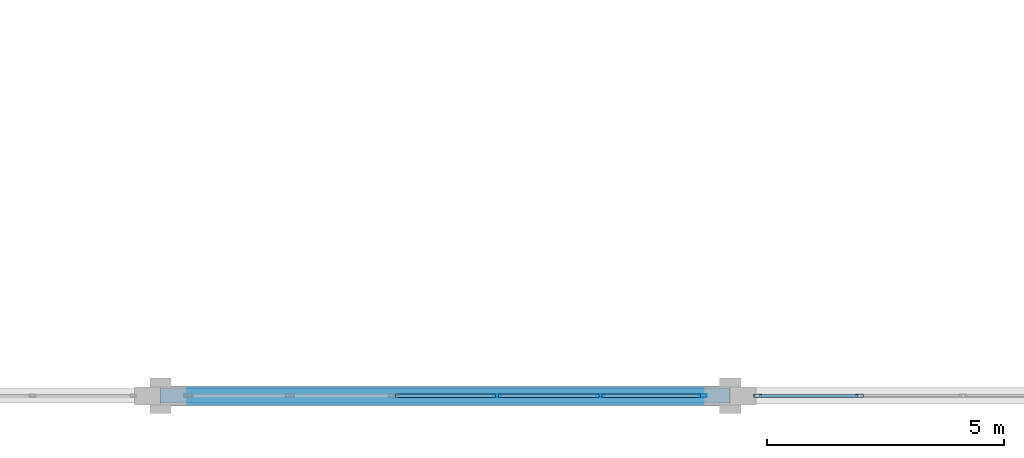
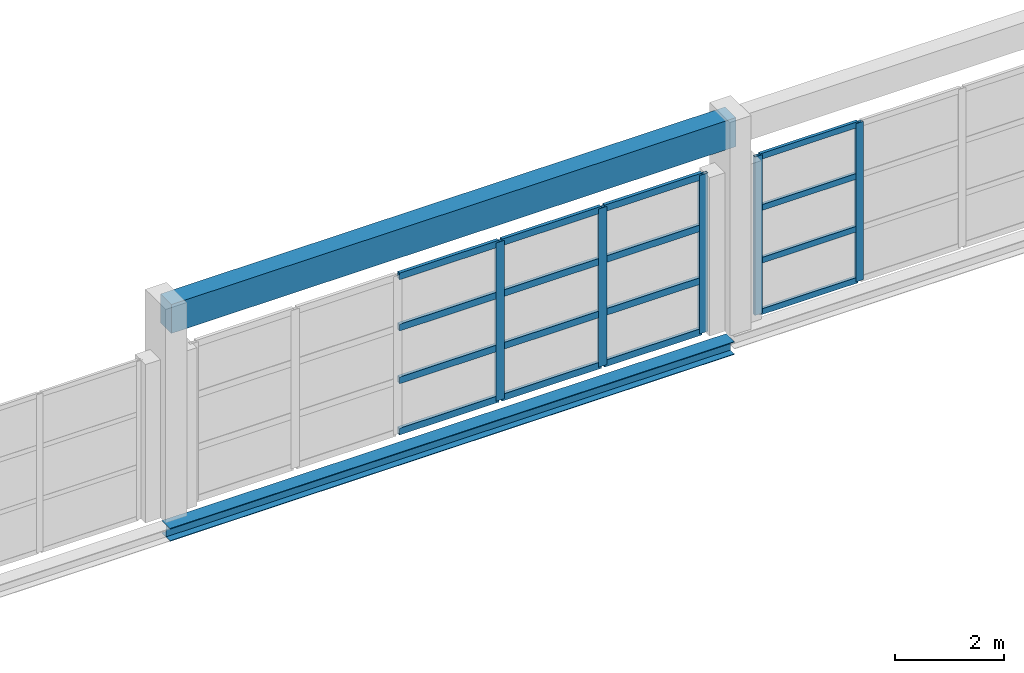
# One storey, part 71 of 147: 21 members, 2 beams, 2 elements without a shape of their own.
"""IFC4 building model written with IfcOpenShell, lengths in metres."""

import ifcopenshell
import ifcopenshell.guid

model = None  # the IFC model being written
_history = None  # IfcOwnerHistory: only IFC2X3 demands one
_inside = {}  # id of a spatial element -> (the spatial element, [elements in it])
_under = {}  # id of a project, library or spatial element -> (it, [spatial elements below it])
_declared = {}  # id of a project -> (the project, [libraries it declares])
_typed = {}  # id of a type object -> (the type object, [elements of that type])
_made_of = {}  # id of a material, layer set ... -> (it, [elements and type objects made of it])


def new_model(schema):
    """Start an empty IFC model of exactly this schema.

    Asked for "IFC4X3", IfcOpenShell would pick the latest addendum, in which some entities
    have other attributes; the version numbers below select the first issue.
    IFC2X3 requires an IfcOwnerHistory on every rooted entity: one is made here for all.
    """
    global model, _history
    if schema == "IFC4X3":
        model = ifcopenshell.file(schema_version=(4, 3, 0, 0))
    else:
        model = ifcopenshell.file(schema=schema)
    _inside.clear()
    _under.clear()
    _declared.clear()
    _typed.clear()
    _made_of.clear()
    _history = None
    if model.schema == "IFC2X3":
        org = make("IfcOrganization", Name="unknown")
        user = make(
            "IfcPersonAndOrganization",
            ThePerson=make("IfcPerson", FamilyName="unknown"),
            TheOrganization=org,
        )
        app = make(
            "IfcApplication",
            ApplicationDeveloper=org,
            Version="unknown",
            ApplicationFullName="unknown",
            ApplicationIdentifier="unknown",
        )
        _history = make(
            "IfcOwnerHistory",
            OwningUser=user,
            OwningApplication=app,
            ChangeAction="ADDED",
            CreationDate=0,
        )
    return model


def make(cls, **values):
    """One entity of the class cls with the attributes given. An attribute that is None is left unset."""
    return model.create_entity(
        cls, **{name: value for name, value in values.items() if value is not None}
    )


def rooted(cls, **values):
    """An entity with a GlobalId (a new one), such as an element, a storey or a relation."""
    return make(cls, GlobalId=ifcopenshell.guid.new(), OwnerHistory=_history, **values)


def si_unit(unit_type, name, prefix=None):
    """IfcSIUnit, for example si_unit("LENGTHUNIT", "METRE", prefix="MILLI")."""
    return make("IfcSIUnit", UnitType=unit_type, Prefix=prefix, Name=name)


def assignment(units):
    """IfcUnitAssignment: the units of a project."""
    return None if units is None else make("IfcUnitAssignment", Units=units)


def point(xyz):
    """IfcCartesianPoint."""
    return None if xyz is None else make("IfcCartesianPoint", Coordinates=xyz)


def direction(xyz):
    """IfcDirection."""
    return None if xyz is None else make("IfcDirection", DirectionRatios=xyz)


def frame(location, z_axis=None, x_axis=None):
    """IfcAxis2Placement3D, a coordinate frame: its origin and axes. An axis left out is left unset."""
    return make(
        "IfcAxis2Placement3D",
        Location=point(location),
        Axis=direction(z_axis),
        RefDirection=direction(x_axis),
    )


def frame_2d(location, x_axis=None):
    """IfcAxis2Placement2D, a coordinate frame in the plane: its origin and x axis."""
    return make(
        "IfcAxis2Placement2D", Location=point(location), RefDirection=direction(x_axis)
    )


def origin():
    """The frame at (0, 0, 0) with its axes left unset."""
    return frame((0.0, 0.0, 0.0))


def origin_2d():
    """The frame at (0, 0) in the plane with its x axis left unset."""
    return frame_2d((0.0, 0.0))


def place(relative_to, where):
    """IfcLocalPlacement: puts the frame where relative to a parent placement (None: the world)."""
    return make(
        "IfcLocalPlacement", PlacementRelTo=relative_to, RelativePlacement=where
    )


def context(
    kind, dimensions, precision=None, world=None, true_north=None, identifier=None
):
    """IfcGeometricRepresentationContext, for example the 3D "Model" context."""
    return make(
        "IfcGeometricRepresentationContext",
        ContextIdentifier=identifier,
        ContextType=kind,
        CoordinateSpaceDimension=dimensions,
        Precision=precision,
        WorldCoordinateSystem=world,
        TrueNorth=true_north,
    )


def subcontext(parent, identifier, kind, view, scale=None):
    """IfcGeometricRepresentationSubContext, for example "Body" below "Model"."""
    return make(
        "IfcGeometricRepresentationSubContext",
        ContextIdentifier=identifier,
        ContextType=kind,
        ParentContext=parent,
        TargetScale=scale,
        TargetView=view,
    )


def project(units=None, contexts=None):
    """IfcProject with its units and contexts."""
    return rooted(
        "IfcProject",
        Name="project",
        RepresentationContexts=contexts,
        UnitsInContext=assignment(units),
    )


def spatial(cls, under=None, at=None, **own):
    """A site, building, storey or space (cls), placed at a placement, below another one or the project."""
    s = rooted(cls, ObjectPlacement=at, **own)
    if under is not None:
        _under.setdefault(under.id(), (under, []))[1].append(s)
    return s


def profile(cls, at=None, kind="AREA", **sizes):
    """A parametric profile (cls). Its sizes go by their IFC names, for example OverallWidth=200.0."""
    return make(cls, ProfileType=kind, Position=at, **sizes)


def rectangle(**sizes):
    """IfcRectangleProfileDef."""
    return profile("IfcRectangleProfileDef", **sizes)


def hollow_rectangle(**sizes):
    """IfcRectangleHollowProfileDef."""
    return profile("IfcRectangleHollowProfileDef", **sizes)


def i_section(**sizes):
    """IfcIShapeProfileDef."""
    return profile("IfcIShapeProfileDef", **sizes)


def extrude(swept, where, along, depth):
    """IfcExtrudedAreaSolid: the profile swept, set in the frame where, extruded along a direction by depth."""
    return make(
        "IfcExtrudedAreaSolid",
        SweptArea=swept,
        Position=where,
        ExtrudedDirection=direction(along),
        Depth=depth,
    )


def shape(context_of_items, identifier, shape_type, items):
    """IfcShapeRepresentation: the items that make up one representation, for example the "Body"."""
    return make(
        "IfcShapeRepresentation",
        ContextOfItems=context_of_items,
        RepresentationIdentifier=identifier,
        RepresentationType=shape_type,
        Items=items,
    )


def material(Name=None, Category=None):
    """IfcMaterial."""
    return make("IfcMaterial", Name=Name, Category=Category)


def layer(
    of_material, thickness, ventilated=None, Name=None, Category=None, Priority=None
):
    """IfcMaterialLayer: one layer of a wall or slab, of a material (None: an air gap)."""
    return make(
        "IfcMaterialLayer",
        Material=of_material,
        LayerThickness=thickness,
        IsVentilated=ventilated,
        Name=Name,
        Category=Category,
        Priority=Priority,
    )


def layer_set(layers, Name=None):
    """IfcMaterialLayerSet."""
    return make("IfcMaterialLayerSet", MaterialLayers=layers, LayerSetName=Name)


def material_profile(
    of_material, cross_section, Name=None, Category=None, Priority=None
):
    """IfcMaterialProfile: a cross section and its material."""
    return make(
        "IfcMaterialProfile",
        Name=Name,
        Material=of_material,
        Profile=cross_section,
        Priority=Priority,
        Category=Category,
    )


def profile_set(profiles, Name=None, composite=None):
    """IfcMaterialProfileSet."""
    return make(
        "IfcMaterialProfileSet",
        Name=Name,
        MaterialProfiles=profiles,
        CompositeProfile=composite,
    )


def made_of(thing, what):
    """Note that an element or type object is made of a material, layer set ...; save() writes the relation."""
    if what is not None:
        _made_of.setdefault(what.id(), (what, []))[1].append(thing)
    return thing


def type_object(cls, material=None, **own):
    """A type object (cls), such as IfcWallType, which elements share."""
    return made_of(rooted(cls, **own), material)


def element(
    cls,
    number,
    at=None,
    inside=None,
    cuts=None,
    type_object=None,
    material=None,
    context=None,
    identifier="Body",
    shape_type=None,
    held_by="IfcProductDefinitionShape",
    body=None,
    shapes=None,
    **own,
):
    """One element of the class cls, such as IfcWall. Its Tag is "e" and its number.

    at: its placement. inside: the storey or other place that contains it. cuts: it is an
    opening in that element (IfcRelVoidsElement). A single representation is given by context,
    identifier, shape_type and body (its items); several are given by shapes. held_by: the class
    of the entity that holds the representations. save() writes the other relations.
    """
    e = rooted(cls, Tag="e%d" % number, ObjectPlacement=at, **own)
    if body is not None:
        shapes = [shape(context, identifier, shape_type, body)]
    if shapes is not None:
        e.Representation = make(held_by, Representations=shapes)
    if inside is not None:
        _inside.setdefault(inside.id(), (inside, []))[1].append(e)
    if cuts is not None:
        rooted(
            "IfcRelVoidsElement", RelatingBuildingElement=cuts, RelatedOpeningElement=e
        )
    if type_object is not None:
        _typed.setdefault(type_object.id(), (type_object, []))[1].append(e)
    return made_of(e, material)


def aggregate(whole, parts):
    """IfcRelAggregates: a whole, such as a stair, and the parts it consists of."""
    return rooted("IfcRelAggregates", RelatingObject=whole, RelatedObjects=parts)


def save(model, path):
    """Write the relations noted so far, then the file.

    IfcRelAggregates (storeys below a building ...), IfcRelContainedInSpatialStructure (elements
    in a storey), IfcRelDefinesByType, IfcRelAssociatesMaterial and IfcRelDeclares: one each for
    every whole, place, type object, material and project.
    """
    for whole, parts in _under.values():
        aggregate(whole, parts)
    for where, things in _inside.values():
        rooted(
            "IfcRelContainedInSpatialStructure",
            RelatedElements=things,
            RelatingStructure=where,
        )
    for kind, things in _typed.values():
        rooted("IfcRelDefinesByType", RelatedObjects=things, RelatingType=kind)
    for what, things in _made_of.values():
        rooted("IfcRelAssociatesMaterial", RelatedObjects=things, RelatingMaterial=what)
    for by, libraries in _declared.values():
        rooted("IfcRelDeclares", RelatingContext=by, RelatedDefinitions=libraries)
    model.write(path)


model = new_model("IFC4")

# Units and contexts
model_context = context("Model", 3, precision=1e-05, world=origin(), true_north=direction((0.0, 1.0)))
body_context = subcontext(model_context, "Body", "Model", "MODEL_VIEW")
ifc_project = project(units=[si_unit("LENGTHUNIT", "METRE"), si_unit("AREAUNIT", "SQUARE_METRE"), si_unit("VOLUMEUNIT", "CUBIC_METRE"), si_unit("PLANEANGLEUNIT", "RADIAN"), si_unit("MASSUNIT", "GRAM", prefix="KILO")], contexts=[model_context])

# Site, building, storey
site_placement = place(None, origin())
site = spatial("IfcSite", under=ifc_project, at=site_placement, CompositionType="ELEMENT")
building_placement = place(site_placement, origin())
building = spatial("IfcBuilding", under=site, at=building_placement, Name="Zilviju Railside Exhibition Hall", CompositionType="ELEMENT")
storey_placement = place(building_placement, frame((0.0, 0.0, 8.39990234375)))
storey = spatial("IfcBuildingStorey", under=building, at=storey_placement, Name="L03", CompositionType="ELEMENT", Elevation=8.39990234375)

# Beams
ifc_material_1 = material(Name="Steel S355J2", Category="steel")
ifc_material_profile_1 = material_profile(ifc_material_1, i_section(OverallWidth=0.300048828125, OverallDepth=0.2900390625, WebThickness=0.008544921875, FlangeThickness=0.013916015625, at=origin_2d()), Name="HEA 300")
ifc_profile_set_1 = profile_set([ifc_material_profile_1], Name="Steel S355J2")
beam_type_1 = type_object("IfcBeamType", Name="BM-HEA300", PredefinedType="SPANDREL", material=ifc_profile_set_1)
beam_1_placement = place(storey_placement, frame((132.0, 0.0, -0.48486328125), z_axis=(1.0, 0.0, 0.0), x_axis=(0.0, 1.0, 0.0)))
element("IfcBeam", 1, at=beam_1_placement, inside=storey, type_object=beam_type_1, Name="Primary Girder L03 Y=0.0 (132.0..144.0)", PredefinedType="SPANDREL", context=body_context, shape_type="SweptSolid", body=[
    extrude(i_section(OverallWidth=0.300048828125, OverallDepth=0.2900390625, WebThickness=0.008544921875, FlangeThickness=0.013916015625, at=origin_2d()), origin(), (0.0, 0.0, 1.0), 12.0),
])
ifc_material_2 = material(Name="Concrete C35/45", Category="concrete")
ifc_material_profile_2 = material_profile(ifc_material_2, rectangle(XDim=0.39990234375, YDim=0.64990234375, at=origin_2d()), Name="RC BEAM 400x650")
ifc_profile_set_2 = profile_set([ifc_material_profile_2], Name="Concrete C35/45")
beam_type_2 = type_object("IfcBeamType", Name="BM-RC-400x650", PredefinedType="SPANDREL", material=ifc_profile_set_2)
beam_2_placement = place(storey_placement, frame((132.0, 0.0, 4.400146484375), z_axis=(1.0, 0.0, 0.0), x_axis=(0.0, 1.0, 0.0)))
element("IfcBeam", 2, at=beam_2_placement, inside=storey, type_object=beam_type_2, Name="Eave & Portal Spandrel Lintel 006", PredefinedType="SPANDREL", context=body_context, shape_type="SweptSolid", body=[
    extrude(rectangle(XDim=0.39990234375, YDim=0.64990234375, at=origin_2d()), origin(), (0.0, 0.0, 1.0), 12.0),
])

# Curtain wall, members
ifc_material_3 = material(Name="Thermally broken aluminium-steel triple-glazed curtain wall", Category="steel")
ifc_layer_1 = layer(ifc_material_3, 0.179931640625)
ifc_layer_set_1 = layer_set([ifc_layer_1], Name="Thermally broken aluminium-steel triple-glazed curtain wall")
curtain_wall_type_1 = type_object("IfcCurtainWallType", Name="CW-BAY-18", PredefinedType="USERDEFINED", material=ifc_layer_set_1)
curtain_wall_1_placement = place(storey_placement, origin())
curtain_wall_1 = element("IfcCurtainWall", 3, at=curtain_wall_1_placement, inside=storey, type_object=curtain_wall_type_1, Name="South Hall Facade Curtain Wall L03 (144..156)", ObjectType="GLAZED CURTAIN WALL", PredefinedType="USERDEFINED")
ifc_material_4 = material(Name="Thermally broken anodized aluminium mullion", Category="aluminium")
ifc_material_profile_3 = material_profile(ifc_material_4, hollow_rectangle(XDim=0.06494140625, YDim=0.159912109375, WallThickness=0.0048828125, at=origin_2d()), Name="MULLION 160x65x5")
ifc_profile_set_3 = profile_set([ifc_material_profile_3], Name="Thermally broken anodized aluminium mullion")
member_type_1 = type_object("IfcMemberType", Name="CWM-65x160", PredefinedType="MULLION", material=ifc_profile_set_3)
member_1_placement = place(storey_placement, frame((146.72998046875, 0.0, 0.0), z_axis=(0.0, 0.0, 1.0), x_axis=(0.0, -1.0, 0.0)))
member_1 = element("IfcMember", 4, at=member_1_placement, type_object=member_type_1, Name="CW-18 mullion 5", PredefinedType="MULLION", context=body_context, shape_type="SweptSolid", body=[
    extrude(hollow_rectangle(XDim=0.06494140625, YDim=0.159912109375, WallThickness=0.0048828125, at=origin_2d()), origin(), (0.0, 0.0, 1.0), 3.56005859375),
])
member_2_placement = place(storey_placement, frame((144.58251953125, 0.0, 0.0), z_axis=(0.0, 0.0, 1.0), x_axis=(0.0, -1.0, 0.0)))
member_2 = element("IfcMember", 5, at=member_2_placement, type_object=member_type_1, Name="CW-18 mullion 6", PredefinedType="MULLION", context=body_context, shape_type="SweptSolid", body=[
    extrude(hollow_rectangle(XDim=0.06494140625, YDim=0.159912109375, WallThickness=0.0048828125, at=origin_2d()), origin(), (0.0, 0.0, 1.0), 3.56005859375),
])

ifc_layer_2 = layer(ifc_material_3, 0.179931640625)
ifc_layer_set_2 = layer_set([ifc_layer_2], Name="Thermally broken aluminium-steel triple-glazed curtain wall")
curtain_wall_type_2 = type_object("IfcCurtainWallType", Name="CW-BAY-17", PredefinedType="USERDEFINED", material=ifc_layer_set_2)
curtain_wall_2_placement = place(storey_placement, origin())
curtain_wall_2 = element("IfcCurtainWall", 6, at=curtain_wall_2_placement, inside=storey, type_object=curtain_wall_type_2, Name="South Hall Facade Curtain Wall L03 (132..144)", ObjectType="GLAZED CURTAIN WALL", PredefinedType="USERDEFINED")
ifc_material_profile_4 = material_profile(ifc_material_4, hollow_rectangle(XDim=0.070068359375, YDim=0.179931640625, WallThickness=0.0048828125, at=origin_2d()), Name="MULLION 180x70x5")
ifc_profile_set_4 = profile_set([ifc_material_profile_4], Name="Thermally broken anodized aluminium mullion")
member_type_2 = type_object("IfcMemberType", Name="CWM-70x180", PredefinedType="MULLION", material=ifc_profile_set_4)
member_3_placement = place(storey_placement, frame((143.4150390625, 0.0, 0.0), z_axis=(0.0, 0.0, 1.0), x_axis=(0.0, -1.0, 0.0)))
member_3 = element("IfcMember", 7, at=member_3_placement, type_object=member_type_2, Name="CW-17 mullion 1", PredefinedType="MULLION", context=body_context, shape_type="SweptSolid", body=[
    extrude(hollow_rectangle(XDim=0.070068359375, YDim=0.179931640625, WallThickness=0.0048828125, at=origin_2d()), origin(), (0.0, 0.0, 1.0), 3.56005859375),
])
member_4_placement = place(storey_placement, frame((141.27001953125, 0.0, 0.0), z_axis=(0.0, 0.0, 1.0), x_axis=(0.0, -1.0, 0.0)))
member_4 = element("IfcMember", 8, at=member_4_placement, type_object=member_type_2, Name="CW-17 mullion 2", PredefinedType="MULLION", context=body_context, shape_type="SweptSolid", body=[
    extrude(hollow_rectangle(XDim=0.070068359375, YDim=0.179931640625, WallThickness=0.0048828125, at=origin_2d()), origin(), (0.0, 0.0, 1.0), 3.56005859375),
])
member_5_placement = place(storey_placement, frame((139.090087890625, 0.0, 0.0), z_axis=(0.0, 0.0, 1.0), x_axis=(0.0, -1.0, 0.0)))
member_5 = element("IfcMember", 9, at=member_5_placement, type_object=member_type_2, Name="CW-17 mullion 3", PredefinedType="MULLION", context=body_context, shape_type="SweptSolid", body=[
    extrude(hollow_rectangle(XDim=0.070068359375, YDim=0.179931640625, WallThickness=0.0048828125, at=origin_2d()), origin(), (0.0, 0.0, 1.0), 3.56005859375),
])

# Member
ifc_material_5 = material(Name="Thermally broken anodized aluminium transom", Category="aluminium")
ifc_material_profile_5 = material_profile(ifc_material_5, hollow_rectangle(XDim=0.06494140625, YDim=0.1298828125, WallThickness=0.0048828125, at=origin_2d()), Name="TRANSOM 130x65x5")
ifc_profile_set_5 = profile_set([ifc_material_profile_5], Name="Thermally broken anodized aluminium transom")
member_type_3 = type_object("IfcMemberType", Name="CWT-65x130", PredefinedType="USERDEFINED", material=ifc_profile_set_5)
member_6_placement = place(storey_placement, frame((146.697509765625, 0.0, 0.03271484375), z_axis=(-1.0, 0.0, 0.0), x_axis=(0.0, -1.0, 0.0)))
member_6 = element("IfcMember", 10, at=member_6_placement, type_object=member_type_3, Name="CW-18 transom 5.1", ObjectType="TRANSOM", PredefinedType="USERDEFINED", context=body_context, shape_type="SweptSolid", body=[
    extrude(hollow_rectangle(XDim=0.06494140625, YDim=0.1298828125, WallThickness=0.0048828125, at=origin_2d()), origin(), (0.0, 0.0, 1.0), 2.08251953125),
])

member_7_placement = place(storey_placement, frame((146.697509765625, 0.0, 1.18701171875), z_axis=(-1.0, 0.0, 0.0), x_axis=(0.0, -1.0, 0.0)))
member_7 = element("IfcMember", 11, at=member_7_placement, type_object=member_type_3, Name="CW-18 transom 5.2", ObjectType="TRANSOM", PredefinedType="USERDEFINED", context=body_context, shape_type="SweptSolid", body=[
    extrude(hollow_rectangle(XDim=0.06494140625, YDim=0.1298828125, WallThickness=0.0048828125, at=origin_2d()), origin(), (0.0, 0.0, 1.0), 2.08251953125),
])

member_8_placement = place(storey_placement, frame((146.697509765625, 0.0, 2.373046875), z_axis=(-1.0, 0.0, 0.0), x_axis=(0.0, -1.0, 0.0)))
member_8 = element("IfcMember", 12, at=member_8_placement, type_object=member_type_3, Name="CW-18 transom 5.3", ObjectType="TRANSOM", PredefinedType="USERDEFINED", context=body_context, shape_type="SweptSolid", body=[
    extrude(hollow_rectangle(XDim=0.06494140625, YDim=0.1298828125, WallThickness=0.0048828125, at=origin_2d()), origin(), (0.0, 0.0, 1.0), 2.08251953125),
])

member_9_placement = place(storey_placement, frame((146.697509765625, 0.0, 3.527587890625), z_axis=(-1.0, 0.0, 0.0), x_axis=(0.0, -1.0, 0.0)))
member_9 = element("IfcMember", 13, at=member_9_placement, type_object=member_type_3, Name="CW-18 transom 5.4", ObjectType="TRANSOM", PredefinedType="USERDEFINED", context=body_context, shape_type="SweptSolid", body=[
    extrude(hollow_rectangle(XDim=0.06494140625, YDim=0.1298828125, WallThickness=0.0048828125, at=origin_2d()), origin(), (0.0, 0.0, 1.0), 2.08251953125),
])

aggregate(curtain_wall_1, [member_1, member_2, member_6, member_7, member_8, member_9])

ifc_material_profile_6 = material_profile(ifc_material_5, hollow_rectangle(XDim=0.070068359375, YDim=0.14990234375, WallThickness=0.0048828125, at=origin_2d()), Name="TRANSOM 150x70x5")
ifc_profile_set_6 = profile_set([ifc_material_profile_6], Name="Thermally broken anodized aluminium transom")
member_type_4 = type_object("IfcMemberType", Name="CWT-70x150", PredefinedType="USERDEFINED", material=ifc_profile_set_6)
member_10_placement = place(storey_placement, frame((143.3798828125, 0.0, 0.03515625), z_axis=(-1.0, 0.0, 0.0), x_axis=(0.0, -1.0, 0.0)))
member_10 = element("IfcMember", 14, at=member_10_placement, type_object=member_type_4, Name="CW-17 transom 1.1", ObjectType="TRANSOM", PredefinedType="USERDEFINED", context=body_context, shape_type="SweptSolid", body=[
    extrude(hollow_rectangle(XDim=0.070068359375, YDim=0.14990234375, WallThickness=0.0048828125, at=origin_2d()), origin(), (0.0, 0.0, 1.0), 2.074951171875),
])

member_11_placement = place(storey_placement, frame((143.3798828125, 0.0, 1.18701171875), z_axis=(-1.0, 0.0, 0.0), x_axis=(0.0, -1.0, 0.0)))
member_11 = element("IfcMember", 15, at=member_11_placement, type_object=member_type_4, Name="CW-17 transom 1.2", ObjectType="TRANSOM", PredefinedType="USERDEFINED", context=body_context, shape_type="SweptSolid", body=[
    extrude(hollow_rectangle(XDim=0.070068359375, YDim=0.14990234375, WallThickness=0.0048828125, at=origin_2d()), origin(), (0.0, 0.0, 1.0), 2.074951171875),
])

member_12_placement = place(storey_placement, frame((143.3798828125, 0.0, 2.373046875), z_axis=(-1.0, 0.0, 0.0), x_axis=(0.0, -1.0, 0.0)))
member_12 = element("IfcMember", 16, at=member_12_placement, type_object=member_type_4, Name="CW-17 transom 1.3", ObjectType="TRANSOM", PredefinedType="USERDEFINED", context=body_context, shape_type="SweptSolid", body=[
    extrude(hollow_rectangle(XDim=0.070068359375, YDim=0.14990234375, WallThickness=0.0048828125, at=origin_2d()), origin(), (0.0, 0.0, 1.0), 2.074951171875),
])

member_13_placement = place(storey_placement, frame((143.3798828125, 0.0, 3.525146484375), z_axis=(-1.0, 0.0, 0.0), x_axis=(0.0, -1.0, 0.0)))
member_13 = element("IfcMember", 17, at=member_13_placement, type_object=member_type_4, Name="CW-17 transom 1.4", ObjectType="TRANSOM", PredefinedType="USERDEFINED", context=body_context, shape_type="SweptSolid", body=[
    extrude(hollow_rectangle(XDim=0.070068359375, YDim=0.14990234375, WallThickness=0.0048828125, at=origin_2d()), origin(), (0.0, 0.0, 1.0), 2.074951171875),
])

member_14_placement = place(storey_placement, frame((141.235107421875, 0.0, 0.03515625), z_axis=(-1.0, 0.0, 0.0), x_axis=(0.0, -1.0, 0.0)))
member_14 = element("IfcMember", 18, at=member_14_placement, type_object=member_type_4, Name="CW-17 transom 2.1", ObjectType="TRANSOM", PredefinedType="USERDEFINED", context=body_context, shape_type="SweptSolid", body=[
    extrude(hollow_rectangle(XDim=0.070068359375, YDim=0.14990234375, WallThickness=0.0048828125, at=origin_2d()), origin(), (0.0, 0.0, 1.0), 2.110107421875),
])

member_15_placement = place(storey_placement, frame((141.235107421875, 0.0, 1.18701171875), z_axis=(-1.0, 0.0, 0.0), x_axis=(0.0, -1.0, 0.0)))
member_15 = element("IfcMember", 19, at=member_15_placement, type_object=member_type_4, Name="CW-17 transom 2.2", ObjectType="TRANSOM", PredefinedType="USERDEFINED", context=body_context, shape_type="SweptSolid", body=[
    extrude(hollow_rectangle(XDim=0.070068359375, YDim=0.14990234375, WallThickness=0.0048828125, at=origin_2d()), origin(), (0.0, 0.0, 1.0), 2.110107421875),
])

member_16_placement = place(storey_placement, frame((141.235107421875, 0.0, 2.373046875), z_axis=(-1.0, 0.0, 0.0), x_axis=(0.0, -1.0, 0.0)))
member_16 = element("IfcMember", 20, at=member_16_placement, type_object=member_type_4, Name="CW-17 transom 2.3", ObjectType="TRANSOM", PredefinedType="USERDEFINED", context=body_context, shape_type="SweptSolid", body=[
    extrude(hollow_rectangle(XDim=0.070068359375, YDim=0.14990234375, WallThickness=0.0048828125, at=origin_2d()), origin(), (0.0, 0.0, 1.0), 2.110107421875),
])

member_17_placement = place(storey_placement, frame((141.235107421875, 0.0, 3.525146484375), z_axis=(-1.0, 0.0, 0.0), x_axis=(0.0, -1.0, 0.0)))
member_17 = element("IfcMember", 21, at=member_17_placement, type_object=member_type_4, Name="CW-17 transom 2.4", ObjectType="TRANSOM", PredefinedType="USERDEFINED", context=body_context, shape_type="SweptSolid", body=[
    extrude(hollow_rectangle(XDim=0.070068359375, YDim=0.14990234375, WallThickness=0.0048828125, at=origin_2d()), origin(), (0.0, 0.0, 1.0), 2.110107421875),
])

member_18_placement = place(storey_placement, frame((139.054931640625, 0.0, 0.03515625), z_axis=(-1.0, 0.0, 0.0), x_axis=(0.0, -1.0, 0.0)))
member_18 = element("IfcMember", 22, at=member_18_placement, type_object=member_type_4, Name="CW-17 transom 3.1", ObjectType="TRANSOM", PredefinedType="USERDEFINED", context=body_context, shape_type="SweptSolid", body=[
    extrude(hollow_rectangle(XDim=0.070068359375, YDim=0.14990234375, WallThickness=0.0048828125, at=origin_2d()), origin(), (0.0, 0.0, 1.0), 2.10986328125),
])

member_19_placement = place(storey_placement, frame((139.054931640625, 0.0, 1.18701171875), z_axis=(-1.0, 0.0, 0.0), x_axis=(0.0, -1.0, 0.0)))
member_19 = element("IfcMember", 23, at=member_19_placement, type_object=member_type_4, Name="CW-17 transom 3.2", ObjectType="TRANSOM", PredefinedType="USERDEFINED", context=body_context, shape_type="SweptSolid", body=[
    extrude(hollow_rectangle(XDim=0.070068359375, YDim=0.14990234375, WallThickness=0.0048828125, at=origin_2d()), origin(), (0.0, 0.0, 1.0), 2.10986328125),
])

member_20_placement = place(storey_placement, frame((139.054931640625, 0.0, 2.373046875), z_axis=(-1.0, 0.0, 0.0), x_axis=(0.0, -1.0, 0.0)))
member_20 = element("IfcMember", 24, at=member_20_placement, type_object=member_type_4, Name="CW-17 transom 3.3", ObjectType="TRANSOM", PredefinedType="USERDEFINED", context=body_context, shape_type="SweptSolid", body=[
    extrude(hollow_rectangle(XDim=0.070068359375, YDim=0.14990234375, WallThickness=0.0048828125, at=origin_2d()), origin(), (0.0, 0.0, 1.0), 2.10986328125),
])

member_21_placement = place(storey_placement, frame((139.054931640625, 0.0, 3.525146484375), z_axis=(-1.0, 0.0, 0.0), x_axis=(0.0, -1.0, 0.0)))
member_21 = element("IfcMember", 25, at=member_21_placement, type_object=member_type_4, Name="CW-17 transom 3.4", ObjectType="TRANSOM", PredefinedType="USERDEFINED", context=body_context, shape_type="SweptSolid", body=[
    extrude(hollow_rectangle(XDim=0.070068359375, YDim=0.14990234375, WallThickness=0.0048828125, at=origin_2d()), origin(), (0.0, 0.0, 1.0), 2.10986328125),
])

aggregate(curtain_wall_2, [member_3, member_4, member_5, member_10, member_11, member_12, member_13, member_14, member_15, member_16, member_17, member_18, member_19, member_20, member_21])

save(model, "model.ifc")
